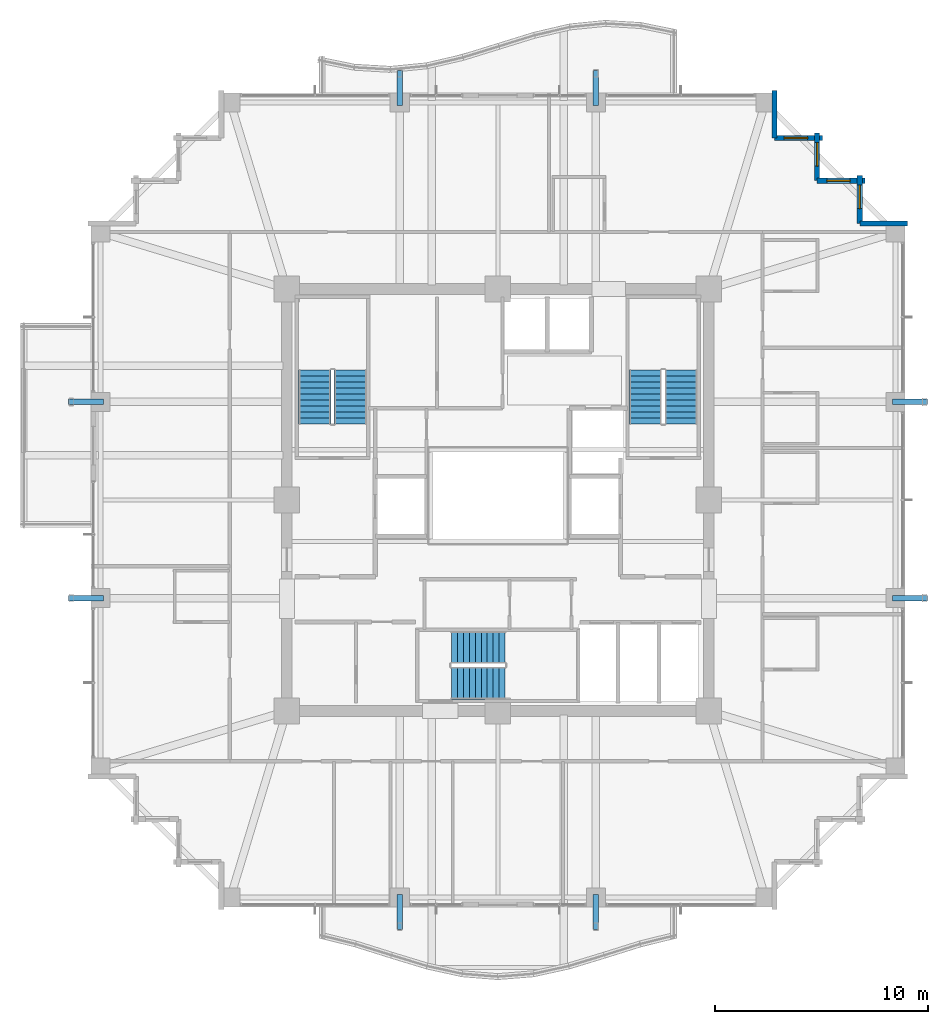
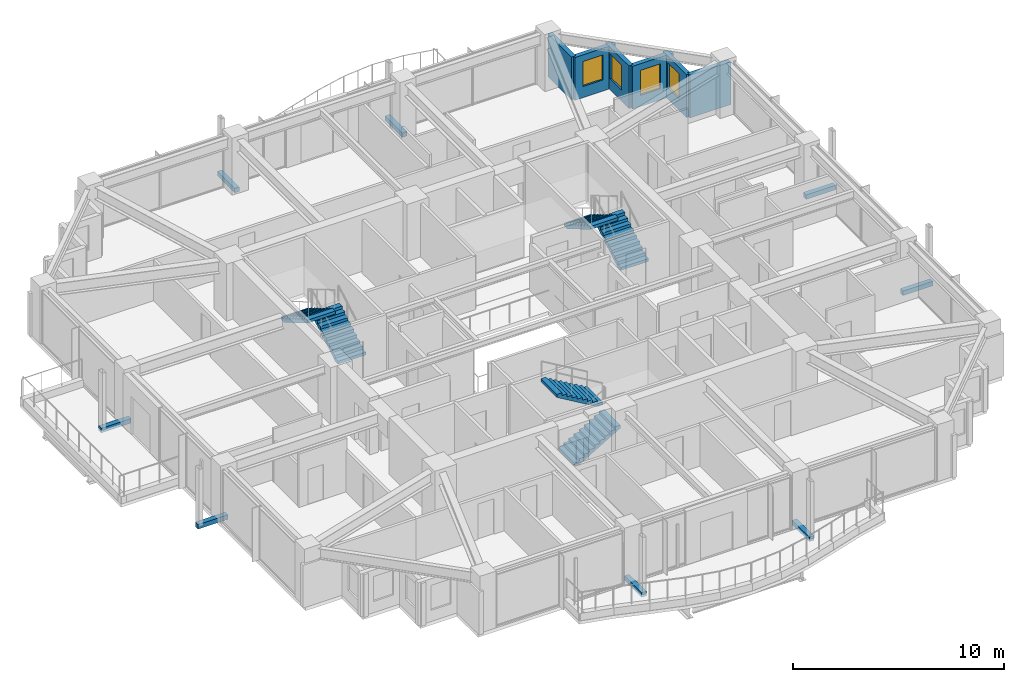
# One storey, part 31 of 34: 8 discrete accessories, 6 stair flights, 6 walls, 4 windows, 4 openings, 3 elements without a shape of their own.
"""IFC4 building model written with IfcOpenShell, lengths in metres."""

from ifc_helpers import new_model, si_unit, direction, frame, frame_2d, origin, origin_2d, place, context, subcontext, project, spatial, polyline, rectangle, outline, extrude, material, layer, layer_set, type_object, element, fill, aggregate, save


model = new_model("IFC4")

# Units and contexts
model_context = context("Model", 3, precision=1e-05, world=origin(), true_north=direction((0.0, 1.0)))
body_context = subcontext(model_context, "Body", "Model", "MODEL_VIEW")
ifc_project = project(units=[si_unit("LENGTHUNIT", "METRE"), si_unit("AREAUNIT", "SQUARE_METRE"), si_unit("VOLUMEUNIT", "CUBIC_METRE"), si_unit("PLANEANGLEUNIT", "RADIAN"), si_unit("MASSUNIT", "GRAM", prefix="KILO")], contexts=[model_context])

# Site, building, storey
site_placement = place(None, origin())
site = spatial("IfcSite", under=ifc_project, at=site_placement, CompositionType="ELEMENT")
building_placement = place(site_placement, origin())
building = spatial("IfcBuilding", under=site, at=building_placement, Name="Kolvaren Belvedere", CompositionType="ELEMENT")
storey_placement = place(building_placement, frame((0.0, 0.0, 166.800048828125)))
storey = spatial("IfcBuildingStorey", under=building, at=storey_placement, Name="L48", CompositionType="ELEMENT", Elevation=166.800048828125)

# Wall
ifc_material_1 = material(Name="Insulated pale-metal facade wall assembly", Category="aluminium")
ifc_layer = layer(ifc_material_1, 0.239990234375)
ifc_layer_set = layer_set([ifc_layer], Name="Insulated pale-metal facade wall assembly")
wall_type = type_object("IfcWallType", Name="WL-EXT-240", PredefinedType="STANDARD", material=ifc_layer_set)
wall_1_placement = place(storey_placement, frame((16.97998046875, 12.97998046875, 0.0), z_axis=(0.0, 0.0, 1.0), x_axis=(1.0, 0.0, 0.0)))
element("IfcWall", 1, at=wall_1_placement, inside=storey, type_object=wall_type, Name="L48 Serrated Corner Facade Wall 9", PredefinedType="STANDARD", context=body_context, shape_type="SweptSolid", body=[
    extrude(rectangle(XDim=2.239990234375, YDim=0.239990234375, at=frame_2d((1.1201171875, 0.0))), origin(), (0.0, 0.0, 1.0), 2.48291015625),
])

# Wall, opening, window
wall_2_placement = place(storey_placement, frame((16.97998046875, 15.219970703125, 0.0), z_axis=(0.0, 0.0, 1.0), x_axis=(0.0, -1.0, 0.0)))
wall_2 = element("IfcWall", 2, at=wall_2_placement, inside=storey, type_object=wall_type, Name="L48 Serrated Corner Facade Wall 10", PredefinedType="STANDARD", context=body_context, shape_type="SweptSolid", body=[
    extrude(rectangle(XDim=2.239990234375, YDim=0.239990234375, at=frame_2d((1.1201171875, 0.0))), origin(), (0.0, 0.0, 1.0), 2.48291015625),
])
opening_1_placement = place(wall_2_placement, frame((0.449951171875, 0.0, 0.64990234375)))
opening_1 = element("IfcOpeningElement", 3, at=opening_1_placement, cuts=wall_2, Name="Opening W-1100", PredefinedType="OPENING", context=body_context, shape_type="SweptSolid", body=[
    extrude(rectangle(XDim=1.10009765625, YDim=1.449951171875, at=frame_2d((0.550048828125, 0.72509765625))), frame((0.0, 0.1298828125, 0.0), z_axis=(0.0, -1.0, 0.0), x_axis=(1.0, 0.0, 0.0)), (0.0, 0.0, 1.0), 0.260009765625),
])
ifc_material_2 = material(Name="Low-iron triple insulated glass", Category="glass")
window_type = type_object("IfcWindowType", Name="WN-CORN-1100", PartitioningType="SINGLE_PANEL", PredefinedType="WINDOW", material=ifc_material_2)
window_1_placement = place(opening_1_placement, origin())
window_1 = element("IfcWindow", 4, at=window_1_placement, inside=storey, type_object=window_type, Name="L48 Serrated Corner Vision Window 10", OverallHeight=1.449951171875, OverallWidth=1.10009765625, PartitioningType="SINGLE_PANEL", PredefinedType="WINDOW", context=body_context, shape_type="SweptSolid", body=[
    extrude(rectangle(XDim=1.10009765625, YDim=1.449951171875, at=frame_2d((0.550048828125, 0.72509765625))), frame((0.0, 0.030029296875, 0.0), z_axis=(0.0, -1.0, 0.0), x_axis=(1.0, 0.0, 0.0)), (0.0, 0.0, 1.0), 0.06005859375),
])
fill(opening_1, window_1)

wall_3_placement = place(storey_placement, frame((14.97998046875, 14.97998046875, 0.0), z_axis=(0.0, 0.0, 1.0), x_axis=(1.0, 0.0, 0.0)))
wall_3 = element("IfcWall", 5, at=wall_3_placement, inside=storey, type_object=wall_type, Name="L48 Serrated Corner Facade Wall 11", PredefinedType="STANDARD", context=body_context, shape_type="SweptSolid", body=[
    extrude(rectangle(XDim=2.239990234375, YDim=0.239990234375, at=frame_2d((1.1201171875, 0.0))), origin(), (0.0, 0.0, 1.0), 2.48291015625),
])
opening_2_placement = place(wall_3_placement, frame((0.449951171875, 0.0, 0.64990234375)))
opening_2 = element("IfcOpeningElement", 6, at=opening_2_placement, cuts=wall_3, Name="Opening W-1100", PredefinedType="OPENING", context=body_context, shape_type="SweptSolid", body=[
    extrude(rectangle(XDim=1.10009765625, YDim=1.449951171875, at=frame_2d((0.550048828125, 0.72509765625))), frame((0.0, 0.1298828125, 0.0), z_axis=(0.0, -1.0, 0.0), x_axis=(1.0, 0.0, 0.0)), (0.0, 0.0, 1.0), 0.260009765625),
])
window_2_placement = place(opening_2_placement, origin())
window_2 = element("IfcWindow", 7, at=window_2_placement, inside=storey, type_object=window_type, Name="L48 Serrated Corner Vision Window 11", OverallHeight=1.449951171875, OverallWidth=1.10009765625, PartitioningType="SINGLE_PANEL", PredefinedType="WINDOW", context=body_context, shape_type="SweptSolid", body=[
    extrude(rectangle(XDim=1.10009765625, YDim=1.449951171875, at=frame_2d((0.550048828125, 0.72509765625))), frame((0.0, 0.030029296875, 0.0), z_axis=(0.0, -1.0, 0.0), x_axis=(1.0, 0.0, 0.0)), (0.0, 0.0, 1.0), 0.06005859375),
])
fill(opening_2, window_2)

wall_4_placement = place(storey_placement, frame((14.97998046875, 17.219970703125, 0.0), z_axis=(0.0, 0.0, 1.0), x_axis=(0.0, -1.0, 0.0)))
wall_4 = element("IfcWall", 8, at=wall_4_placement, inside=storey, type_object=wall_type, Name="L48 Serrated Corner Facade Wall 12", PredefinedType="STANDARD", context=body_context, shape_type="SweptSolid", body=[
    extrude(rectangle(XDim=2.239990234375, YDim=0.239990234375, at=frame_2d((1.1201171875, 0.0))), origin(), (0.0, 0.0, 1.0), 2.48291015625),
])
opening_3_placement = place(wall_4_placement, frame((0.449951171875, 0.0, 0.64990234375)))
opening_3 = element("IfcOpeningElement", 9, at=opening_3_placement, cuts=wall_4, Name="Opening W-1100", PredefinedType="OPENING", context=body_context, shape_type="SweptSolid", body=[
    extrude(rectangle(XDim=1.10009765625, YDim=1.449951171875, at=frame_2d((0.550048828125, 0.72509765625))), frame((0.0, 0.1298828125, 0.0), z_axis=(0.0, -1.0, 0.0), x_axis=(1.0, 0.0, 0.0)), (0.0, 0.0, 1.0), 0.260009765625),
])
window_3_placement = place(opening_3_placement, origin())
window_3 = element("IfcWindow", 10, at=window_3_placement, inside=storey, type_object=window_type, Name="L48 Serrated Corner Vision Window 12", OverallHeight=1.449951171875, OverallWidth=1.10009765625, PartitioningType="SINGLE_PANEL", PredefinedType="WINDOW", context=body_context, shape_type="SweptSolid", body=[
    extrude(rectangle(XDim=1.10009765625, YDim=1.449951171875, at=frame_2d((0.550048828125, 0.72509765625))), frame((0.0, 0.030029296875, 0.0), z_axis=(0.0, -1.0, 0.0), x_axis=(1.0, 0.0, 0.0)), (0.0, 0.0, 1.0), 0.06005859375),
])
fill(opening_3, window_3)

wall_5_placement = place(storey_placement, frame((12.97998046875, 16.97998046875, 0.0), z_axis=(0.0, 0.0, 1.0), x_axis=(1.0, 0.0, 0.0)))
wall_5 = element("IfcWall", 11, at=wall_5_placement, inside=storey, type_object=wall_type, Name="L48 Serrated Corner Facade Wall 13", PredefinedType="STANDARD", context=body_context, shape_type="SweptSolid", body=[
    extrude(rectangle(XDim=2.239990234375, YDim=0.239990234375, at=frame_2d((1.1201171875, 0.0))), origin(), (0.0, 0.0, 1.0), 2.48291015625),
])
opening_4_placement = place(wall_5_placement, frame((0.449951171875, 0.0, 0.64990234375)))
opening_4 = element("IfcOpeningElement", 12, at=opening_4_placement, cuts=wall_5, Name="Opening W-1100", PredefinedType="OPENING", context=body_context, shape_type="SweptSolid", body=[
    extrude(rectangle(XDim=1.10009765625, YDim=1.449951171875, at=frame_2d((0.550048828125, 0.72509765625))), frame((0.0, 0.1298828125, 0.0), z_axis=(0.0, -1.0, 0.0), x_axis=(1.0, 0.0, 0.0)), (0.0, 0.0, 1.0), 0.260009765625),
])
window_4_placement = place(opening_4_placement, origin())
window_4 = element("IfcWindow", 13, at=window_4_placement, inside=storey, type_object=window_type, Name="L48 Serrated Corner Vision Window 13", OverallHeight=1.449951171875, OverallWidth=1.10009765625, PartitioningType="SINGLE_PANEL", PredefinedType="WINDOW", context=body_context, shape_type="SweptSolid", body=[
    extrude(rectangle(XDim=1.10009765625, YDim=1.449951171875, at=frame_2d((0.550048828125, 0.72509765625))), frame((0.0, 0.030029296875, 0.0), z_axis=(0.0, -1.0, 0.0), x_axis=(1.0, 0.0, 0.0)), (0.0, 0.0, 1.0), 0.06005859375),
])
fill(opening_4, window_4)

# Wall
wall_6_placement = place(storey_placement, frame((12.97998046875, 19.219970703125, 0.0), z_axis=(0.0, 0.0, 1.0), x_axis=(0.0, -1.0, 0.0)))
element("IfcWall", 14, at=wall_6_placement, inside=storey, type_object=wall_type, Name="L48 Serrated Corner Facade Wall 14", PredefinedType="STANDARD", context=body_context, shape_type="SweptSolid", body=[
    extrude(rectangle(XDim=2.239990234375, YDim=0.239990234375, at=frame_2d((1.1201171875, 0.0))), origin(), (0.0, 0.0, 1.0), 2.48291015625),
])

# Stair, stair flights
ifc_material_3 = material(Name="Concrete C50/60", Category="concrete")
stair_type = type_object("IfcStairType", Name="ST-CORE-1520", PredefinedType="HALF_TURN_STAIR", material=ifc_material_3)
stair_1_placement = place(storey_placement, origin())
stair_1 = element("IfcStair", 15, at=stair_1_placement, inside=storey, type_object=stair_type, Name="L48 Protected Exit Stair ST-1", PredefinedType="HALF_TURN_STAIR")
ifc_material_4 = material(Name="Concrete C50/60", Category="concrete")
stair_flight_type = type_object("IfcStairFlightType", Name="SF-STR-1520", PredefinedType="STRAIGHT", material=ifc_material_4)
stair_flight_1_placement = place(storey_placement, frame((-6.919921875, 3.570068359375, 0.0), z_axis=(0.0, 0.0, 1.0), x_axis=(0.0, 1.0, 0.0)))
stair_flight_1 = element("IfcStairFlight", 16, at=stair_flight_1_placement, type_object=stair_flight_type, Name="ST-1 flight 1", NumberOfRisers=10, NumberOfTreads=9, PredefinedType="STRAIGHT", RiserHeight=0.165, TreadLength=0.28, context=body_context, shape_type="SweptSolid", body=[
    extrude(outline(polyline([(0.0, 0.0), (0.0, 0.1650390625), (0.280029296875, 0.1650390625), (0.280029296875, 0.330078125), (0.56005859375, 0.330078125), (0.56005859375, 0.4951171875), (0.840087890625, 0.4951171875), (0.840087890625, 0.659912109375), (1.1201171875, 0.659912109375), (1.1201171875, 0.824951171875), (1.39990234375, 0.824951171875), (1.39990234375, 0.989990234375), (1.679931640625, 0.989990234375), (1.679931640625, 1.155029296875), (1.9599609375, 1.155029296875), (1.9599609375, 1.320068359375), (2.239990234375, 1.320068359375), (2.239990234375, 1.485107421875), (2.52001953125, 1.485107421875), (2.52001953125, 1.64990234375), (2.52001953125, 1.31103515625), (0.295166015625, 0.0), (0.0, 0.0)])), frame((0.0, 0.760009765625, 0.0), z_axis=(0.0, -1.0, 0.0), x_axis=(1.0, 0.0, 0.0)), (0.0, 0.0, 1.0), 1.52001953125),
])
stair_flight_2_placement = place(storey_placement, frame((-8.590087890625, 6.090087890625, 1.64990234375), z_axis=(0.0, 0.0, 1.0), x_axis=(0.0, -1.0, 0.0)))
stair_flight_2 = element("IfcStairFlight", 17, at=stair_flight_2_placement, type_object=stair_flight_type, Name="ST-1 flight 2", NumberOfRisers=10, NumberOfTreads=9, PredefinedType="STRAIGHT", RiserHeight=0.165, TreadLength=0.28, context=body_context, shape_type="SweptSolid", body=[
    extrude(outline(polyline([(0.0, 0.0), (0.0, 0.1650390625), (0.280029296875, 0.1650390625), (0.280029296875, 0.330078125), (0.56005859375, 0.330078125), (0.56005859375, 0.4951171875), (0.840087890625, 0.4951171875), (0.840087890625, 0.659912109375), (1.1201171875, 0.659912109375), (1.1201171875, 0.824951171875), (1.39990234375, 0.824951171875), (1.39990234375, 0.989990234375), (1.679931640625, 0.989990234375), (1.679931640625, 1.155029296875), (1.9599609375, 1.155029296875), (1.9599609375, 1.320068359375), (2.239990234375, 1.320068359375), (2.239990234375, 1.485107421875), (2.52001953125, 1.485107421875), (2.52001953125, 1.64990234375), (2.52001953125, 1.31103515625), (0.295166015625, 0.0), (0.0, 0.0)])), frame((0.0, 0.760009765625, 0.0), z_axis=(0.0, -1.0, 0.0), x_axis=(1.0, 0.0, 0.0)), (0.0, 0.0, 1.0), 1.52001953125),
])
aggregate(stair_1, [stair_flight_1, stair_flight_2])

stair_2_placement = place(storey_placement, origin())
stair_2 = element("IfcStair", 18, at=stair_2_placement, inside=storey, type_object=stair_type, Name="L48 Protected Exit Stair ST-2", PredefinedType="HALF_TURN_STAIR")
stair_flight_3_placement = place(storey_placement, frame((8.590087890625, 3.570068359375, 0.0), z_axis=(0.0, 0.0, 1.0), x_axis=(0.0, 1.0, 0.0)))
stair_flight_3 = element("IfcStairFlight", 19, at=stair_flight_3_placement, type_object=stair_flight_type, Name="ST-2 flight 1", NumberOfRisers=10, NumberOfTreads=9, PredefinedType="STRAIGHT", RiserHeight=0.165, TreadLength=0.28, context=body_context, shape_type="SweptSolid", body=[
    extrude(outline(polyline([(0.0, 0.0), (0.0, 0.1650390625), (0.280029296875, 0.1650390625), (0.280029296875, 0.330078125), (0.56005859375, 0.330078125), (0.56005859375, 0.4951171875), (0.840087890625, 0.4951171875), (0.840087890625, 0.659912109375), (1.1201171875, 0.659912109375), (1.1201171875, 0.824951171875), (1.39990234375, 0.824951171875), (1.39990234375, 0.989990234375), (1.679931640625, 0.989990234375), (1.679931640625, 1.155029296875), (1.9599609375, 1.155029296875), (1.9599609375, 1.320068359375), (2.239990234375, 1.320068359375), (2.239990234375, 1.485107421875), (2.52001953125, 1.485107421875), (2.52001953125, 1.64990234375), (2.52001953125, 1.31103515625), (0.295166015625, 0.0), (0.0, 0.0)])), frame((0.0, 0.760009765625, 0.0), z_axis=(0.0, -1.0, 0.0), x_axis=(1.0, 0.0, 0.0)), (0.0, 0.0, 1.0), 1.52001953125),
])
stair_flight_4_placement = place(storey_placement, frame((6.919921875, 6.090087890625, 1.64990234375), z_axis=(0.0, 0.0, 1.0), x_axis=(0.0, -1.0, 0.0)))
stair_flight_4 = element("IfcStairFlight", 20, at=stair_flight_4_placement, type_object=stair_flight_type, Name="ST-2 flight 2", NumberOfRisers=10, NumberOfTreads=9, PredefinedType="STRAIGHT", RiserHeight=0.165, TreadLength=0.28, context=body_context, shape_type="SweptSolid", body=[
    extrude(outline(polyline([(0.0, 0.0), (0.0, 0.1650390625), (0.280029296875, 0.1650390625), (0.280029296875, 0.330078125), (0.56005859375, 0.330078125), (0.56005859375, 0.4951171875), (0.840087890625, 0.4951171875), (0.840087890625, 0.659912109375), (1.1201171875, 0.659912109375), (1.1201171875, 0.824951171875), (1.39990234375, 0.824951171875), (1.39990234375, 0.989990234375), (1.679931640625, 0.989990234375), (1.679931640625, 1.155029296875), (1.9599609375, 1.155029296875), (1.9599609375, 1.320068359375), (2.239990234375, 1.320068359375), (2.239990234375, 1.485107421875), (2.52001953125, 1.485107421875), (2.52001953125, 1.64990234375), (2.52001953125, 1.31103515625), (0.295166015625, 0.0), (0.0, 0.0)])), frame((0.0, 0.760009765625, 0.0), z_axis=(0.0, -1.0, 0.0), x_axis=(1.0, 0.0, 0.0)), (0.0, 0.0, 1.0), 1.52001953125),
])
aggregate(stair_2, [stair_flight_3, stair_flight_4])

stair_3_placement = place(storey_placement, origin())
stair_3 = element("IfcStair", 21, at=stair_3_placement, inside=storey, type_object=stair_type, Name="L48 Protected Exit Stair ST-3", PredefinedType="HALF_TURN_STAIR")
stair_flight_5_placement = place(storey_placement, frame((-2.179931640625, -8.590087890625, 0.0), z_axis=(0.0, 0.0, 1.0), x_axis=(1.0, 0.0, 0.0)))
stair_flight_5 = element("IfcStairFlight", 22, at=stair_flight_5_placement, type_object=stair_flight_type, Name="ST-3 flight 1", NumberOfRisers=10, NumberOfTreads=9, PredefinedType="STRAIGHT", RiserHeight=0.165, TreadLength=0.28, context=body_context, shape_type="SweptSolid", body=[
    extrude(outline(polyline([(0.0, 0.0), (0.0, 0.1650390625), (0.280029296875, 0.1650390625), (0.280029296875, 0.330078125), (0.56005859375, 0.330078125), (0.56005859375, 0.4951171875), (0.840087890625, 0.4951171875), (0.840087890625, 0.659912109375), (1.1201171875, 0.659912109375), (1.1201171875, 0.824951171875), (1.39990234375, 0.824951171875), (1.39990234375, 0.989990234375), (1.679931640625, 0.989990234375), (1.679931640625, 1.155029296875), (1.9599609375, 1.155029296875), (1.9599609375, 1.320068359375), (2.239990234375, 1.320068359375), (2.239990234375, 1.485107421875), (2.52001953125, 1.485107421875), (2.52001953125, 1.64990234375), (2.52001953125, 1.31103515625), (0.295166015625, 0.0), (0.0, 0.0)])), frame((0.0, 0.760009765625, 0.0), z_axis=(0.0, -1.0, 0.0), x_axis=(1.0, 0.0, 0.0)), (0.0, 0.0, 1.0), 1.52001953125),
])
stair_flight_6_placement = place(storey_placement, frame((0.340087890625, -6.919921875, 1.64990234375), z_axis=(0.0, 0.0, 1.0), x_axis=(-1.0, 0.0, 0.0)))
stair_flight_6 = element("IfcStairFlight", 23, at=stair_flight_6_placement, type_object=stair_flight_type, Name="ST-3 flight 2", NumberOfRisers=10, NumberOfTreads=9, PredefinedType="STRAIGHT", RiserHeight=0.165, TreadLength=0.28, context=body_context, shape_type="SweptSolid", body=[
    extrude(outline(polyline([(0.0, 0.0), (0.0, 0.1650390625), (0.280029296875, 0.1650390625), (0.280029296875, 0.330078125), (0.56005859375, 0.330078125), (0.56005859375, 0.4951171875), (0.840087890625, 0.4951171875), (0.840087890625, 0.659912109375), (1.1201171875, 0.659912109375), (1.1201171875, 0.824951171875), (1.39990234375, 0.824951171875), (1.39990234375, 0.989990234375), (1.679931640625, 0.989990234375), (1.679931640625, 1.155029296875), (1.9599609375, 1.155029296875), (1.9599609375, 1.320068359375), (2.239990234375, 1.320068359375), (2.239990234375, 1.485107421875), (2.52001953125, 1.485107421875), (2.52001953125, 1.64990234375), (2.52001953125, 1.31103515625), (0.295166015625, 0.0), (0.0, 0.0)])), frame((0.0, 0.760009765625, 0.0), z_axis=(0.0, -1.0, 0.0), x_axis=(1.0, 0.0, 0.0)), (0.0, 0.0, 1.0), 1.52001953125),
])
aggregate(stair_3, [stair_flight_5, stair_flight_6])

# Discrete accessories
ifc_material_5 = material(Name="Structural steel ASTM A572 Grade 50", Category="steel")
discrete_accessory_type = type_object("IfcDiscreteAccessoryType", Name="BRK-1 Steel Facade Support Bracket", PredefinedType="BRACKET", material=ifc_material_5)
for number, where, z_axis, x_axis, name in (
    (24, (-4.60009765625, 19.3349609375, -0.169921875), (0.0, 0.0, 1.0), (0.0, 1.0, 0.0), "L48 Picture-Frame Outrigger Cleat Bracket N1"),
    (25, (4.60009765625, 19.3349609375, -0.169921875), (0.0, 0.0, 1.0), (0.0, 1.0, 0.0), "L48 Picture-Frame Outrigger Cleat Bracket N2"),
    (26, (4.60009765625, -19.3349609375, -0.169921875), (0.0, 0.0, 1.0), (0.0, 1.0, 0.0), "L48 Picture-Frame Outrigger Cleat Bracket S1"),
    (27, (-4.60009765625, -19.3349609375, -0.169921875), (0.0, 0.0, 1.0), (0.0, 1.0, 0.0), "L48 Picture-Frame Outrigger Cleat Bracket S2"),
    (28, (19.3349609375, 4.60009765625, -0.169921875), (0.0, 0.0, 1.0), (1.0, 0.0, 0.0), "L48 Picture-Frame Outrigger Cleat Bracket E1"),
    (29, (19.3349609375, -4.60009765625, -0.169921875), (0.0, 0.0, 1.0), (1.0, 0.0, 0.0), "L48 Picture-Frame Outrigger Cleat Bracket E2"),
    (30, (-19.3349609375, -4.60009765625, -0.169921875), (0.0, 0.0, 1.0), (1.0, 0.0, 0.0), "L48 Picture-Frame Outrigger Cleat Bracket W1"),
    (31, (-19.3349609375, 4.60009765625, -0.169921875), (0.0, 0.0, 1.0), (1.0, 0.0, 0.0), "L48 Picture-Frame Outrigger Cleat Bracket W2"),
):
    element("IfcDiscreteAccessory", number, at=place(storey_placement, frame(where, z_axis=z_axis, x_axis=x_axis)), inside=storey, type_object=discrete_accessory_type, Name=name, PredefinedType="BRACKET", context=body_context, shape_type="SweptSolid", body=[
        extrude(rectangle(XDim=1.639892578125, YDim=0.260009765625, at=origin_2d()), origin(), (0.0, 0.0, 1.0), 0.260009765625),
    ])

save(model, "model.ifc")
